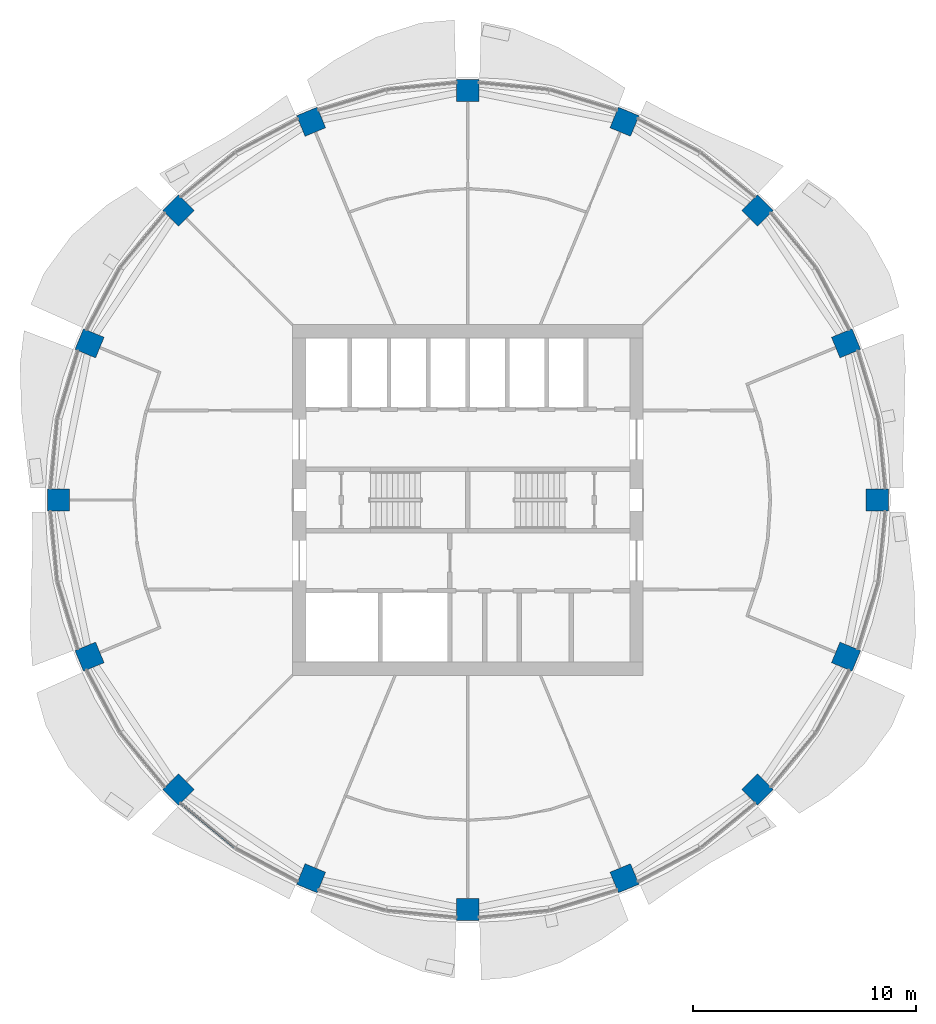
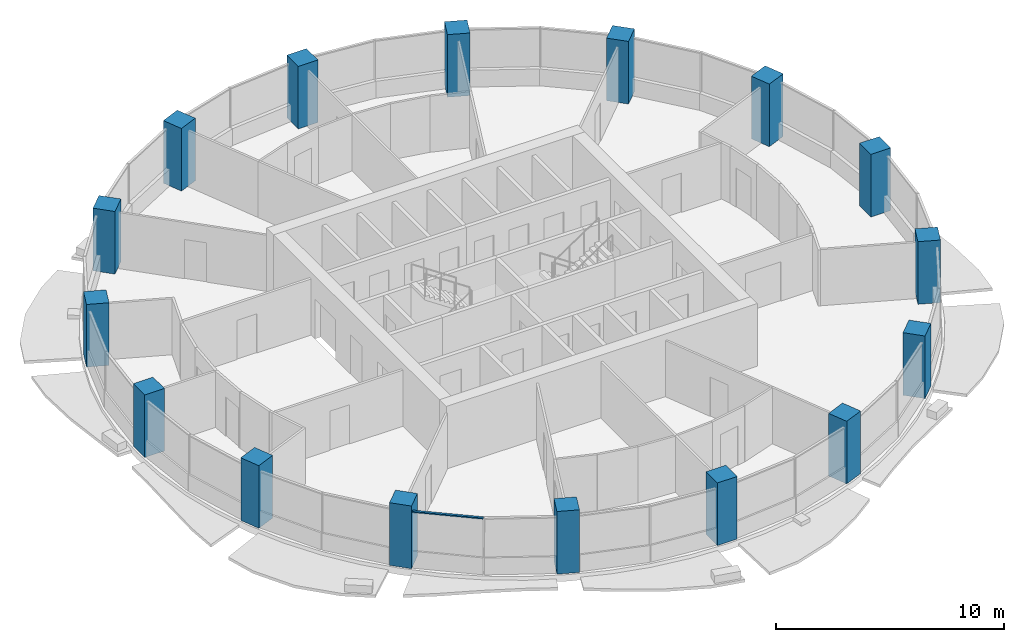
# One storey, part 1 of 15: 16 columns, 1 member, 1 element without a shape of its own.
"""IFC4 building model written with IfcOpenShell, lengths in metres."""

from ifc_helpers import new_model, si_unit, direction, frame, origin, origin_2d, place, context, subcontext, project, spatial, rectangle, extrude, material, material_profile, profile_set, type_object, element, aggregate, save


model = new_model("IFC4")

# Units and contexts
model_context = context("Model", 3, precision=1e-05, world=origin(), true_north=direction((0.0, 1.0)))
body_context = subcontext(model_context, "Body", "Model", "MODEL_VIEW")
ifc_project = project(units=[si_unit("LENGTHUNIT", "METRE"), si_unit("AREAUNIT", "SQUARE_METRE"), si_unit("VOLUMEUNIT", "CUBIC_METRE"), si_unit("PLANEANGLEUNIT", "RADIAN"), si_unit("MASSUNIT", "GRAM", prefix="KILO")], contexts=[model_context])

# Site, building, storey
site_placement = place(None, origin())
site = spatial("IfcSite", under=ifc_project, at=site_placement, CompositionType="ELEMENT")
building_placement = place(site_placement, origin())
building = spatial("IfcBuilding", under=site, at=building_placement, Name="Polderwave Tower", CompositionType="ELEMENT")
storey_placement = place(building_placement, frame((0.0, 0.0, 131.0)))
storey = spatial("IfcBuildingStorey", under=building, at=storey_placement, Name="L34", CompositionType="ELEMENT", Elevation=131.0)

# Columns
ifc_material_1 = material(Name="Concrete C60/75", Category="concrete")
ifc_material_profile_1 = material_profile(ifc_material_1, rectangle(XDim=1.0, YDim=1.0, at=origin_2d()), Name="RC 1000x1000")
ifc_profile_set_1 = profile_set([ifc_material_profile_1], Name="Concrete C60/75")
column_type = type_object("IfcColumnType", Name="RC COLUMN 1000x1000 C60/75", PredefinedType="COLUMN", material=ifc_profile_set_1)
for number, where, z_axis, x_axis, name in (
    (1, (18.3798828125, 0.0, 0.0), (0.0, 0.0, 1.0), (1.0, 0.0, 0.0), "Ring column 01"),
    (2, (16.98095703125, 7.03369140625, 0.0), (0.0, 0.0, 1.0), (0.923879532511, 0.382683432365, 0.0), "Ring column 02"),
    (3, (12.99658203125, 12.99658203125, 0.0), (0.0, 0.0, 1.0), (0.707106781187, 0.707106781187, 0.0), "Ring column 03"),
    (4, (7.03369140625, 16.98095703125, 0.0), (0.0, 0.0, 1.0), (0.382683432365, 0.923879532511, 0.0), "Ring column 04"),
    (5, (0.0, 18.3798828125, 0.0), (0.0, 0.0, 1.0), (0.0, 1.0, 0.0), "Ring column 05"),
    (6, (-7.03369140625, 16.98095703125, 0.0), (0.0, 0.0, 1.0), (-0.382683432365, 0.923879532511, 0.0), "Ring column 06"),
    (7, (-12.99658203125, 12.99658203125, 0.0), (0.0, 0.0, 1.0), (-0.707106781187, 0.707106781187, 0.0), "Ring column 07"),
    (8, (-16.98095703125, 7.03369140625, 0.0), (0.0, 0.0, 1.0), (-0.923879532511, 0.382683432365, 0.0), "Ring column 08"),
    (9, (-18.3798828125, 0.0, 0.0), (0.0, 0.0, 1.0), (-1.0, 0.0, 0.0), "Ring column 09"),
    (10, (-16.98095703125, -7.03369140625, 0.0), (0.0, 0.0, 1.0), (-0.923879532511, -0.382683432365, 0.0), "Ring column 10"),
    (11, (-12.99658203125, -12.99658203125, 0.0), (0.0, 0.0, 1.0), (-0.707106781187, -0.707106781187, 0.0), "Ring column 11"),
    (12, (-7.03369140625, -16.98095703125, 0.0), (0.0, 0.0, 1.0), (-0.382683432365, -0.923879532511, 0.0), "Ring column 12"),
    (13, (0.0, -18.3798828125, 0.0), (0.0, 0.0, 1.0), (0.0, -1.0, 0.0), "Ring column 13"),
    (14, (7.03369140625, -16.98095703125, 0.0), (0.0, 0.0, 1.0), (0.382683432365, -0.923879532511, 0.0), "Ring column 14"),
    (15, (12.99658203125, -12.99658203125, 0.0), (0.0, 0.0, 1.0), (0.707106781187, -0.707106781187, 0.0), "Ring column 15"),
    (16, (16.98095703125, -7.03369140625, 0.0), (0.0, 0.0, 1.0), (0.923879532511, -0.382683432365, 0.0), "Ring column 16"),
):
    element("IfcColumn", number, at=place(storey_placement, frame(where, z_axis=z_axis, x_axis=x_axis)), inside=storey, type_object=column_type, Name=name, PredefinedType="COLUMN", context=body_context, shape_type="SweptSolid", body=[
        extrude(rectangle(XDim=1.0, YDim=1.0, at=origin_2d()), origin(), (0.0, 0.0, 1.0), 3.35009765625),
    ])

# Curtain wall, member
ifc_material_2 = material(Name="Aluminium 6063-T6 and glass", Category="aluminium")
curtain_wall_type = type_object("IfcCurtainWallType", Name="Office ribbon glazing wall", PredefinedType="NOTDEFINED", material=ifc_material_2)
curtain_wall_placement = place(storey_placement, origin())
curtain_wall = element("IfcCurtainWall", 17, at=curtain_wall_placement, inside=storey, type_object=curtain_wall_type, Name="CW3 L34 10", PredefinedType="NOTDEFINED")
ifc_material_3 = material(Name="Aluminium 6063-T6", Category="aluminium")
ifc_material_profile_2 = material_profile(ifc_material_3, rectangle(XDim=0.1201171875, YDim=0.06005859375, at=origin_2d()), Name="AL 60x120")
ifc_profile_set_2 = profile_set([ifc_material_profile_2], Name="Aluminium 6063-T6")
member_type = type_object("IfcMemberType", Name="Office ribbon glazing transom 60x120", PredefinedType="USERDEFINED", material=ifc_profile_set_2)
member_placement = place(storey_placement, frame((-12.89111328125, -13.597900390625, 2.969970703125), z_axis=(0.772893139863, -0.634536204131, 0.0), x_axis=(0.634536204131, 0.772893139863, 0.0)))
member = element("IfcMember", 18, at=member_placement, type_object=member_type, Name="CW3 transom 1", ObjectType="TRANSOM", PredefinedType="USERDEFINED", context=body_context, shape_type="SweptSolid", body=[
    extrude(rectangle(XDim=0.1201171875, YDim=0.06005859375, at=origin_2d()), origin(), (0.0, 0.0, 1.0), 3.151611328125),
])
aggregate(curtain_wall, [member])

save(model, "model.ifc")
